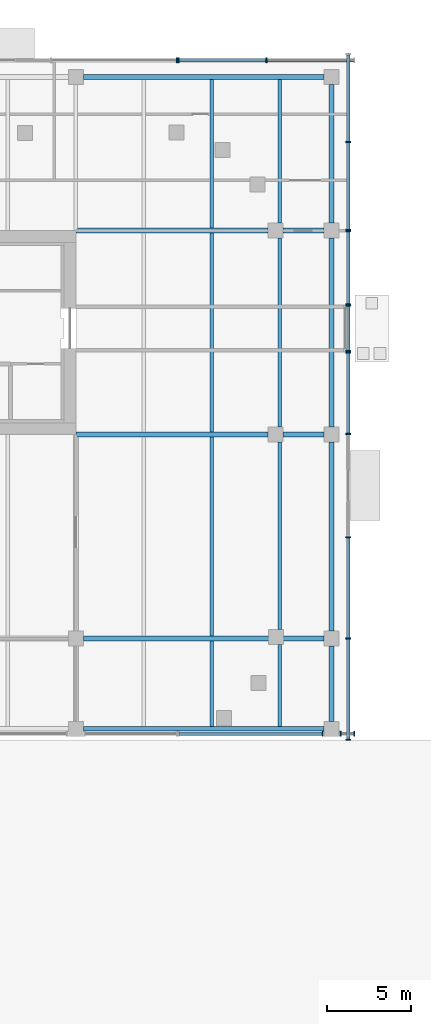
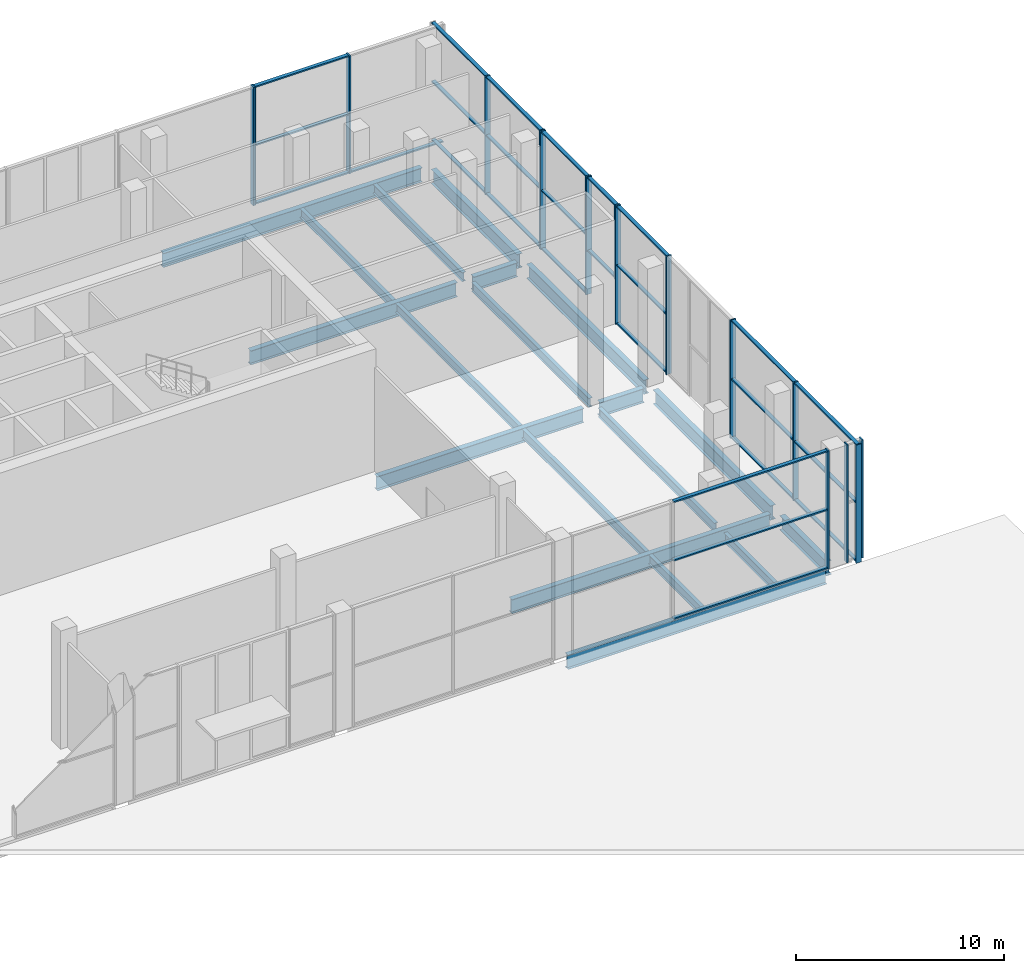
# One storey, part 9 of 36: 44 members, 19 beams, 9 elements without a shape of their own.
"""IFC4 building model written with IfcOpenShell, lengths in metres."""

from ifc_helpers import new_model, si_unit, direction, frame, origin, origin_2d, place, context, subcontext, project, spatial, rectangle, i_section, extrude, material, material_profile, profile_set, type_object, element, aggregate, save


model = new_model("IFC4")

# Units and contexts
model_context = context("Model", 3, precision=1e-05, world=origin(), true_north=direction((0.0, 1.0)))
body_context = subcontext(model_context, "Body", "Model", "MODEL_VIEW")
ifc_project = project(units=[si_unit("LENGTHUNIT", "METRE"), si_unit("AREAUNIT", "SQUARE_METRE"), si_unit("VOLUMEUNIT", "CUBIC_METRE"), si_unit("PLANEANGLEUNIT", "RADIAN"), si_unit("MASSUNIT", "GRAM", prefix="KILO")], contexts=[model_context])

# Site, building, storey
site_placement = place(None, origin())
site = spatial("IfcSite", under=ifc_project, at=site_placement, CompositionType="ELEMENT")
building_placement = place(site_placement, origin())
building = spatial("IfcBuilding", under=site, at=building_placement, Name="Tessera Gate Towers", CompositionType="ELEMENT")
storey_placement = place(building_placement, origin())
storey = spatial("IfcBuildingStorey", under=building, at=storey_placement, Name="L00", CompositionType="ELEMENT", Elevation=0.0)

# Beams
ifc_material_1 = material(Name="Steel 350W", Category="steel")
ifc_material_profile_1 = material_profile(ifc_material_1, i_section(OverallWidth=0.2919921875, OverallDepth=0.8349609375, WebThickness=0.013916015625, FlangeThickness=0.018798828125, at=origin_2d()), Name="W840x176")
ifc_profile_set_1 = profile_set([ifc_material_profile_1], Name="Steel 350W")
beam_type_1 = type_object("IfcBeamType", Name="FLOOR GIRDER W840x176", PredefinedType="BEAM", material=ifc_profile_set_1)
for number, where, z_axis, x_axis, name in (
    (1, (122.449951171875, 19.0, -0.66748046875), (1.0, 0.0, 0.0), (0.0, 1.0, 0.0), "PD-GD-L00-7"),
    (2, (122.449951171875, 24.39990234375, -0.66748046875), (1.0, 0.0, 0.0), (0.0, 1.0, 0.0), "PD-GD-L00-22"),
):
    element("IfcBeam", number, at=place(storey_placement, frame(where, z_axis=z_axis, x_axis=x_axis)), inside=storey, type_object=beam_type_1, Name=name, PredefinedType="BEAM", context=body_context, shape_type="SweptSolid", body=[
        extrude(i_section(OverallWidth=0.2919921875, OverallDepth=0.8349609375, WebThickness=0.013916015625, FlangeThickness=0.018798828125, at=origin_2d()), origin(), (0.0, 0.0, 1.0), 14.400146484375),
    ])
beam_1_placement = place(storey_placement, frame((122.0009765625, 36.60009765625, -0.66748046875), z_axis=(1.0, 0.0, 0.0), x_axis=(0.0, 1.0, 0.0)))
element("IfcBeam", 3, at=beam_1_placement, inside=storey, type_object=beam_type_1, Name="PD-GD-L00-30", PredefinedType="BEAM", context=body_context, shape_type="SweptSolid", body=[
    extrude(i_section(OverallWidth=0.2919921875, OverallDepth=0.8349609375, WebThickness=0.013916015625, FlangeThickness=0.018798828125, at=origin_2d()), origin(), (0.0, 0.0, 1.0), 11.4990234375),
])
beam_2_placement = place(storey_placement, frame((134.39990234375, 36.60009765625, -0.66748046875), z_axis=(1.0, 0.0, 0.0), x_axis=(0.0, 1.0, 0.0)))
element("IfcBeam", 4, at=beam_2_placement, inside=storey, type_object=beam_type_1, Name="PD-GD-L00-31", PredefinedType="BEAM", context=body_context, shape_type="SweptSolid", body=[
    extrude(i_section(OverallWidth=0.2919921875, OverallDepth=0.8349609375, WebThickness=0.013916015625, FlangeThickness=0.018798828125, at=origin_2d()), origin(), (0.0, 0.0, 1.0), 2.4501953125),
])
beam_3_placement = place(storey_placement, frame((122.0009765625, 48.800048828125, -0.66748046875), z_axis=(1.0, 0.0, 0.0), x_axis=(0.0, 1.0, 0.0)))
element("IfcBeam", 5, at=beam_3_placement, inside=storey, type_object=beam_type_1, Name="PD-GD-L00-38", PredefinedType="BEAM", context=body_context, shape_type="SweptSolid", body=[
    extrude(i_section(OverallWidth=0.2919921875, OverallDepth=0.8349609375, WebThickness=0.013916015625, FlangeThickness=0.018798828125, at=origin_2d()), origin(), (0.0, 0.0, 1.0), 11.4990234375),
])
beam_4_placement = place(storey_placement, frame((134.39990234375, 48.800048828125, -0.66748046875), z_axis=(1.0, 0.0, 0.0), x_axis=(0.0, 1.0, 0.0)))
element("IfcBeam", 6, at=beam_4_placement, inside=storey, type_object=beam_type_1, Name="PD-GD-L00-39", PredefinedType="BEAM", context=body_context, shape_type="SweptSolid", body=[
    extrude(i_section(OverallWidth=0.2919921875, OverallDepth=0.8349609375, WebThickness=0.013916015625, FlangeThickness=0.018798828125, at=origin_2d()), origin(), (0.0, 0.0, 1.0), 2.4501953125),
])
beam_5_placement = place(storey_placement, frame((122.449951171875, 58.0, -0.66748046875), z_axis=(1.0, 0.0, 0.0), x_axis=(0.0, 1.0, 0.0)))
element("IfcBeam", 7, at=beam_5_placement, inside=storey, type_object=beam_type_1, Name="PD-GD-L00-48", PredefinedType="BEAM", context=body_context, shape_type="SweptSolid", body=[
    extrude(i_section(OverallWidth=0.2919921875, OverallDepth=0.8349609375, WebThickness=0.013916015625, FlangeThickness=0.018798828125, at=origin_2d()), origin(), (0.0, 0.0, 1.0), 14.400146484375),
])
beam_6_placement = place(storey_placement, frame((137.300048828125, 19.449951171875, -0.66748046875), z_axis=(0.0, 1.0, 0.0), x_axis=(-1.0, 0.0, 0.0)))
element("IfcBeam", 8, at=beam_6_placement, inside=storey, type_object=beam_type_1, Name="PD-GD-L00-71", PredefinedType="BEAM", context=body_context, shape_type="SweptSolid", body=[
    extrude(i_section(OverallWidth=0.2919921875, OverallDepth=0.8349609375, WebThickness=0.013916015625, FlangeThickness=0.018798828125, at=origin_2d()), origin(), (0.0, 0.0, 1.0), 4.5),
])
beam_7_placement = place(storey_placement, frame((137.300048828125, 24.85009765625, -0.66748046875), z_axis=(0.0, 1.0, 0.0), x_axis=(-1.0, 0.0, 0.0)))
element("IfcBeam", 9, at=beam_7_placement, inside=storey, type_object=beam_type_1, Name="PD-GD-L00-72", PredefinedType="BEAM", context=body_context, shape_type="SweptSolid", body=[
    extrude(i_section(OverallWidth=0.2919921875, OverallDepth=0.8349609375, WebThickness=0.013916015625, FlangeThickness=0.018798828125, at=origin_2d()), origin(), (0.0, 0.0, 1.0), 11.2998046875),
])
beam_8_placement = place(storey_placement, frame((137.300048828125, 37.050048828125, -0.66748046875), z_axis=(0.0, 1.0, 0.0), x_axis=(-1.0, 0.0, 0.0)))
element("IfcBeam", 10, at=beam_8_placement, inside=storey, type_object=beam_type_1, Name="PD-GD-L00-73", PredefinedType="BEAM", context=body_context, shape_type="SweptSolid", body=[
    extrude(i_section(OverallWidth=0.2919921875, OverallDepth=0.8349609375, WebThickness=0.013916015625, FlangeThickness=0.018798828125, at=origin_2d()), origin(), (0.0, 0.0, 1.0), 11.300048828125),
])
beam_9_placement = place(storey_placement, frame((137.300048828125, 49.25, -0.66748046875), z_axis=(0.0, 1.0, 0.0), x_axis=(-1.0, 0.0, 0.0)))
element("IfcBeam", 11, at=beam_9_placement, inside=storey, type_object=beam_type_1, Name="PD-GD-L00-74", PredefinedType="BEAM", context=body_context, shape_type="SweptSolid", body=[
    extrude(i_section(OverallWidth=0.2919921875, OverallDepth=0.8349609375, WebThickness=0.013916015625, FlangeThickness=0.018798828125, at=origin_2d()), origin(), (0.0, 0.0, 1.0), 8.300048828125),
])
ifc_material_2 = material(Name="Steel 350W", Category="steel")
ifc_material_profile_2 = material_profile(ifc_material_2, i_section(OverallWidth=0.208984375, OverallDepth=0.528076171875, WebThickness=0.009521484375, FlangeThickness=0.01318359375, at=origin_2d()), Name="W530x82")
ifc_profile_set_2 = profile_set([ifc_material_profile_2], Name="Steel 350W")
beam_type_2 = type_object("IfcBeamType", Name="FLOOR SECONDARY W530x82", PredefinedType="BEAM", material=ifc_profile_set_2)
beam_10_placement = place(storey_placement, frame((130.13330078125, 19.14599609375, -0.513916015625), z_axis=(0.0, 1.0, 0.0), x_axis=(-1.0, 0.0, 0.0)))
element("IfcBeam", 12, at=beam_10_placement, inside=storey, type_object=beam_type_2, Name="PD-BM-L00-180", PredefinedType="BEAM", context=body_context, shape_type="SweptSolid", body=[
    extrude(i_section(OverallWidth=0.208984375, OverallDepth=0.528076171875, WebThickness=0.009521484375, FlangeThickness=0.01318359375, at=origin_2d()), origin(), (0.0, 0.0, 1.0), 5.10791015625),
])
beam_11_placement = place(storey_placement, frame((130.13330078125, 24.5458984375, -0.513916015625), z_axis=(0.0, 1.0, 0.0), x_axis=(-1.0, 0.0, 0.0)))
element("IfcBeam", 13, at=beam_11_placement, inside=storey, type_object=beam_type_2, Name="PD-BM-L00-181", PredefinedType="BEAM", context=body_context, shape_type="SweptSolid", body=[
    extrude(i_section(OverallWidth=0.208984375, OverallDepth=0.528076171875, WebThickness=0.009521484375, FlangeThickness=0.01318359375, at=origin_2d()), origin(), (0.0, 0.0, 1.0), 11.908203125),
])
beam_12_placement = place(storey_placement, frame((130.13330078125, 36.74609375, -0.513916015625), z_axis=(0.0, 1.0, 0.0), x_axis=(-1.0, 0.0, 0.0)))
element("IfcBeam", 14, at=beam_12_placement, inside=storey, type_object=beam_type_2, Name="PD-BM-L00-182", PredefinedType="BEAM", context=body_context, shape_type="SweptSolid", body=[
    extrude(i_section(OverallWidth=0.208984375, OverallDepth=0.528076171875, WebThickness=0.009521484375, FlangeThickness=0.01318359375, at=origin_2d()), origin(), (0.0, 0.0, 1.0), 11.907958984375),
])
beam_13_placement = place(storey_placement, frame((130.13330078125, 48.946044921875, -0.513916015625), z_axis=(0.0, 1.0, 0.0), x_axis=(-1.0, 0.0, 0.0)))
element("IfcBeam", 15, at=beam_13_placement, inside=storey, type_object=beam_type_2, Name="PD-BM-L00-183", PredefinedType="BEAM", context=body_context, shape_type="SweptSolid", body=[
    extrude(i_section(OverallWidth=0.208984375, OverallDepth=0.528076171875, WebThickness=0.009521484375, FlangeThickness=0.01318359375, at=origin_2d()), origin(), (0.0, 0.0, 1.0), 8.907958984375),
])
beam_14_placement = place(storey_placement, frame((134.199951171875, 19.14599609375, -0.513916015625), z_axis=(0.0, 1.0, 0.0), x_axis=(-1.0, 0.0, 0.0)))
element("IfcBeam", 16, at=beam_14_placement, inside=storey, type_object=beam_type_2, Name="PD-BM-L00-184", PredefinedType="BEAM", context=body_context, shape_type="SweptSolid", body=[
    extrude(i_section(OverallWidth=0.208984375, OverallDepth=0.528076171875, WebThickness=0.009521484375, FlangeThickness=0.01318359375, at=origin_2d()), origin(), (0.0, 0.0, 1.0), 4.89404296875),
])
beam_15_placement = place(storey_placement, frame((134.199951171875, 24.93994140625, -0.513916015625), z_axis=(0.0, 1.0, 0.0), x_axis=(-1.0, 0.0, 0.0)))
element("IfcBeam", 17, at=beam_15_placement, inside=storey, type_object=beam_type_2, Name="PD-BM-L00-185", PredefinedType="BEAM", context=body_context, shape_type="SweptSolid", body=[
    extrude(i_section(OverallWidth=0.208984375, OverallDepth=0.528076171875, WebThickness=0.009521484375, FlangeThickness=0.01318359375, at=origin_2d()), origin(), (0.0, 0.0, 1.0), 11.2099609375),
])
beam_16_placement = place(storey_placement, frame((134.199951171875, 37.050048828125, -0.513916015625), z_axis=(0.0, 1.0, 0.0), x_axis=(-1.0, 0.0, 0.0)))
element("IfcBeam", 18, at=beam_16_placement, inside=storey, type_object=beam_type_2, Name="PD-BM-L00-186", PredefinedType="BEAM", context=body_context, shape_type="SweptSolid", body=[
    extrude(i_section(OverallWidth=0.208984375, OverallDepth=0.528076171875, WebThickness=0.009521484375, FlangeThickness=0.01318359375, at=origin_2d()), origin(), (0.0, 0.0, 1.0), 11.300048828125),
])
beam_17_placement = place(storey_placement, frame((134.199951171875, 49.25, -0.513916015625), z_axis=(0.0, 1.0, 0.0), x_axis=(-1.0, 0.0, 0.0)))
element("IfcBeam", 19, at=beam_17_placement, inside=storey, type_object=beam_type_2, Name="PD-BM-L00-187", PredefinedType="BEAM", context=body_context, shape_type="SweptSolid", body=[
    extrude(i_section(OverallWidth=0.208984375, OverallDepth=0.528076171875, WebThickness=0.009521484375, FlangeThickness=0.01318359375, at=origin_2d()), origin(), (0.0, 0.0, 1.0), 8.60400390625),
])

# Curtain wall, member
ifc_material_3 = material(Name="Aluminium frame", Category="aluminium")
curtain_wall_type = type_object("IfcCurtainWallType", Name="CW-S6 ground floor glazing", PredefinedType="NOTDEFINED", material=ifc_material_3)
curtain_wall_1_placement = place(storey_placement, origin())
curtain_wall_1 = element("IfcCurtainWall", 20, at=curtain_wall_1_placement, inside=storey, type_object=curtain_wall_type, Name="Curtain wall ground floor glazing 0169", PredefinedType="NOTDEFINED")
ifc_material_4 = material(Name="Aluminium frame", Category="aluminium")
ifc_material_profile_3 = material_profile(ifc_material_4, rectangle(XDim=0.080078125, YDim=0.300048828125, at=origin_2d()), Name="AL 80x300")
ifc_profile_set_3 = profile_set([ifc_material_profile_3], Name="Aluminium frame")
member_type_1 = type_object("IfcMemberType", Name="MU-S6 mullion 80x300", PredefinedType="MULLION", material=ifc_profile_set_3)
member_1_placement = place(storey_placement, frame((136.77001953125, 18.699951171875, 0.0), z_axis=(0.0, 0.0, 1.0), x_axis=(1.0, 0.0, 0.0)))
member_1 = element("IfcMember", 21, at=member_1_placement, type_object=member_type_1, Name="PD-CW6-0169 mullion 2", PredefinedType="MULLION", context=body_context, shape_type="SweptSolid", body=[
    extrude(rectangle(XDim=0.080078125, YDim=0.300048828125, at=origin_2d()), origin(), (0.0, 0.0, 1.0), 6.949951171875),
])

# Curtain wall, members
curtain_wall_2_placement = place(storey_placement, origin())
curtain_wall_2 = element("IfcCurtainWall", 22, at=curtain_wall_2_placement, inside=storey, type_object=curtain_wall_type, Name="Curtain wall ground floor glazing 0170", PredefinedType="NOTDEFINED")
member_2_placement = place(storey_placement, frame((137.830078125, 18.699951171875, 0.0), z_axis=(0.0, 0.0, 1.0), x_axis=(1.0, 0.0, 0.0)))
member_2 = element("IfcMember", 23, at=member_2_placement, type_object=member_type_1, Name="PD-CW6-0170 mullion 1", PredefinedType="MULLION", context=body_context, shape_type="SweptSolid", body=[
    extrude(rectangle(XDim=0.080078125, YDim=0.300048828125, at=origin_2d()), origin(), (0.0, 0.0, 1.0), 6.949951171875),
])
member_3_placement = place(storey_placement, frame((138.659912109375, 18.699951171875, 0.0), z_axis=(0.0, 0.0, 1.0), x_axis=(1.0, 0.0, 0.0)))
member_3 = element("IfcMember", 24, at=member_3_placement, type_object=member_type_1, Name="PD-CW6-0170 mullion 2", PredefinedType="MULLION", context=body_context, shape_type="SweptSolid", body=[
    extrude(rectangle(XDim=0.080078125, YDim=0.300048828125, at=origin_2d()), origin(), (0.0, 0.0, 1.0), 6.949951171875),
])
aggregate(curtain_wall_2, [member_2, member_3])

curtain_wall_3_placement = place(storey_placement, origin())
curtain_wall_3 = element("IfcCurtainWall", 25, at=curtain_wall_3_placement, inside=storey, type_object=curtain_wall_type, Name="Curtain wall ground floor glazing 0175", PredefinedType="NOTDEFINED")
member_4_placement = place(storey_placement, frame((138.300048828125, 18.340087890625, 0.0), z_axis=(0.0, 0.0, 1.0), x_axis=(0.0, 1.0, 0.0)))
member_4 = element("IfcMember", 26, at=member_4_placement, type_object=member_type_1, Name="PD-CW6-0175 mullion 1", PredefinedType="MULLION", context=body_context, shape_type="SweptSolid", body=[
    extrude(rectangle(XDim=0.080078125, YDim=0.300048828125, at=origin_2d()), origin(), (0.0, 0.0, 1.0), 6.949951171875),
])
member_5_placement = place(storey_placement, frame((138.300048828125, 24.39990234375, 0.0), z_axis=(0.0, 0.0, 1.0), x_axis=(0.0, 1.0, 0.0)))
member_5 = element("IfcMember", 27, at=member_5_placement, type_object=member_type_1, Name="PD-CW6-0175 mullion 2", PredefinedType="MULLION", context=body_context, shape_type="SweptSolid", body=[
    extrude(rectangle(XDim=0.080078125, YDim=0.300048828125, at=origin_2d()), origin(), (0.0, 0.0, 1.0), 6.949951171875),
])
member_6_placement = place(storey_placement, frame((138.300048828125, 30.4599609375, 0.0), z_axis=(0.0, 0.0, 1.0), x_axis=(0.0, 1.0, 0.0)))
member_6 = element("IfcMember", 28, at=member_6_placement, type_object=member_type_1, Name="PD-CW6-0175 mullion 3", PredefinedType="MULLION", context=body_context, shape_type="SweptSolid", body=[
    extrude(rectangle(XDim=0.080078125, YDim=0.300048828125, at=origin_2d()), origin(), (0.0, 0.0, 1.0), 6.949951171875),
])

curtain_wall_4_placement = place(storey_placement, origin())
curtain_wall_4 = element("IfcCurtainWall", 29, at=curtain_wall_4_placement, inside=storey, type_object=curtain_wall_type, Name="Curtain wall ground floor glazing 0176", PredefinedType="NOTDEFINED")
member_7_placement = place(storey_placement, frame((138.300048828125, 36.639892578125, 0.0), z_axis=(0.0, 0.0, 1.0), x_axis=(0.0, 1.0, 0.0)))
member_7 = element("IfcMember", 30, at=member_7_placement, type_object=member_type_1, Name="PD-CW6-0176 mullion 1", PredefinedType="MULLION", context=body_context, shape_type="SweptSolid", body=[
    extrude(rectangle(XDim=0.080078125, YDim=0.300048828125, at=origin_2d()), origin(), (0.0, 0.0, 1.0), 6.949951171875),
])
member_8_placement = place(storey_placement, frame((138.300048828125, 41.510009765625, 0.0), z_axis=(0.0, 0.0, 1.0), x_axis=(0.0, 1.0, 0.0)))
member_8 = element("IfcMember", 31, at=member_8_placement, type_object=member_type_1, Name="PD-CW6-0176 mullion 2", PredefinedType="MULLION", context=body_context, shape_type="SweptSolid", body=[
    extrude(rectangle(XDim=0.080078125, YDim=0.300048828125, at=origin_2d()), origin(), (0.0, 0.0, 1.0), 6.949951171875),
])

curtain_wall_5_placement = place(storey_placement, origin())
curtain_wall_5 = element("IfcCurtainWall", 32, at=curtain_wall_5_placement, inside=storey, type_object=curtain_wall_type, Name="Curtain wall ground floor glazing 0177", PredefinedType="NOTDEFINED")
member_9_placement = place(storey_placement, frame((138.300048828125, 41.590087890625, 2.60009765625), z_axis=(0.0, 0.0, 1.0), x_axis=(0.0, 1.0, 0.0)))
member_9 = element("IfcMember", 33, at=member_9_placement, type_object=member_type_1, Name="PD-CW6-0177 mullion 1", PredefinedType="MULLION", context=body_context, shape_type="SweptSolid", body=[
    extrude(rectangle(XDim=0.080078125, YDim=0.300048828125, at=origin_2d()), origin(), (0.0, 0.0, 1.0), 4.349853515625),
])
member_10_placement = place(storey_placement, frame((138.300048828125, 44.31005859375, 2.60009765625), z_axis=(0.0, 0.0, 1.0), x_axis=(0.0, 1.0, 0.0)))
member_10 = element("IfcMember", 34, at=member_10_placement, type_object=member_type_1, Name="PD-CW6-0177 mullion 2", PredefinedType="MULLION", context=body_context, shape_type="SweptSolid", body=[
    extrude(rectangle(XDim=0.080078125, YDim=0.300048828125, at=origin_2d()), origin(), (0.0, 0.0, 1.0), 4.349853515625),
])

curtain_wall_6_placement = place(storey_placement, origin())
curtain_wall_6 = element("IfcCurtainWall", 35, at=curtain_wall_6_placement, inside=storey, type_object=curtain_wall_type, Name="Curtain wall ground floor glazing 0178", PredefinedType="NOTDEFINED")
member_11_placement = place(storey_placement, frame((138.300048828125, 44.389892578125, 0.0), z_axis=(0.0, 0.0, 1.0), x_axis=(0.0, 1.0, 0.0)))
member_11 = element("IfcMember", 36, at=member_11_placement, type_object=member_type_1, Name="PD-CW6-0178 mullion 1", PredefinedType="MULLION", context=body_context, shape_type="SweptSolid", body=[
    extrude(rectangle(XDim=0.080078125, YDim=0.300048828125, at=origin_2d()), origin(), (0.0, 0.0, 1.0), 6.949951171875),
])
member_12_placement = place(storey_placement, frame((138.300048828125, 48.760009765625, 0.0), z_axis=(0.0, 0.0, 1.0), x_axis=(0.0, 1.0, 0.0)))
member_12 = element("IfcMember", 37, at=member_12_placement, type_object=member_type_1, Name="PD-CW6-0178 mullion 2", PredefinedType="MULLION", context=body_context, shape_type="SweptSolid", body=[
    extrude(rectangle(XDim=0.080078125, YDim=0.300048828125, at=origin_2d()), origin(), (0.0, 0.0, 1.0), 6.949951171875),
])

curtain_wall_7_placement = place(storey_placement, origin())
curtain_wall_7 = element("IfcCurtainWall", 38, at=curtain_wall_7_placement, inside=storey, type_object=curtain_wall_type, Name="Curtain wall ground floor glazing 0181", PredefinedType="NOTDEFINED")
member_13_placement = place(storey_placement, frame((138.300048828125, 48.840087890625, 0.0), z_axis=(0.0, 0.0, 1.0), x_axis=(0.0, 1.0, 0.0)))
member_13 = element("IfcMember", 39, at=member_13_placement, type_object=member_type_1, Name="PD-CW6-0181 mullion 1", PredefinedType="MULLION", context=body_context, shape_type="SweptSolid", body=[
    extrude(rectangle(XDim=0.080078125, YDim=0.300048828125, at=origin_2d()), origin(), (0.0, 0.0, 1.0), 6.949951171875),
])
member_14_placement = place(storey_placement, frame((138.300048828125, 54.10009765625, 0.0), z_axis=(0.0, 0.0, 1.0), x_axis=(0.0, 1.0, 0.0)))
member_14 = element("IfcMember", 40, at=member_14_placement, type_object=member_type_1, Name="PD-CW6-0181 mullion 2", PredefinedType="MULLION", context=body_context, shape_type="SweptSolid", body=[
    extrude(rectangle(XDim=0.080078125, YDim=0.300048828125, at=origin_2d()), origin(), (0.0, 0.0, 1.0), 6.949951171875),
])

curtain_wall_8_placement = place(storey_placement, origin())
curtain_wall_8 = element("IfcCurtainWall", 41, at=curtain_wall_8_placement, inside=storey, type_object=curtain_wall_type, Name="Curtain wall ground floor glazing 0184", PredefinedType="NOTDEFINED")
member_15_placement = place(storey_placement, frame((133.39990234375, 59.0, 0.0), z_axis=(0.0, 0.0, 1.0), x_axis=(-1.0, 0.0, 0.0)))
member_15 = element("IfcMember", 42, at=member_15_placement, type_object=member_type_1, Name="PD-CW6-0184 mullion 2", PredefinedType="MULLION", context=body_context, shape_type="SweptSolid", body=[
    extrude(rectangle(XDim=0.080078125, YDim=0.300048828125, at=origin_2d()), origin(), (0.0, 0.0, 1.0), 6.949951171875),
])
member_16_placement = place(storey_placement, frame((128.139892578125, 59.0, 0.0), z_axis=(0.0, 0.0, 1.0), x_axis=(-1.0, 0.0, 0.0)))
member_16 = element("IfcMember", 43, at=member_16_placement, type_object=member_type_1, Name="PD-CW6-0184 mullion 3", PredefinedType="MULLION", context=body_context, shape_type="SweptSolid", body=[
    extrude(rectangle(XDim=0.080078125, YDim=0.300048828125, at=origin_2d()), origin(), (0.0, 0.0, 1.0), 6.949951171875),
])

# Curtain wall, member
curtain_wall_9_placement = place(storey_placement, origin())
curtain_wall_9 = element("IfcCurtainWall", 44, at=curtain_wall_9_placement, inside=storey, type_object=curtain_wall_type, Name="Curtain wall ground floor glazing 0187", PredefinedType="NOTDEFINED")
member_17_placement = place(storey_placement, frame((128.06005859375, 59.0, 0.0), z_axis=(0.0, 0.0, 1.0), x_axis=(-1.0, 0.0, 0.0)))
member_17 = element("IfcMember", 45, at=member_17_placement, type_object=member_type_1, Name="PD-CW6-0187 mullion 1", PredefinedType="MULLION", context=body_context, shape_type="SweptSolid", body=[
    extrude(rectangle(XDim=0.080078125, YDim=0.300048828125, at=origin_2d()), origin(), (0.0, 0.0, 1.0), 6.949951171875),
])
aggregate(curtain_wall_9, [member_17])

# Member
ifc_material_5 = material(Name="Aluminium frame", Category="aluminium")
ifc_material_profile_4 = material_profile(ifc_material_5, rectangle(XDim=0.199951171875, YDim=0.080078125, at=origin_2d()), Name="AL 80x200")
ifc_profile_set_4 = profile_set([ifc_material_profile_4], Name="Aluminium frame")
member_type_2 = type_object("IfcMemberType", Name="TR-S6 transom 80x200", PredefinedType="USERDEFINED", material=ifc_profile_set_4)
member_18_placement = place(storey_placement, frame((128.179931640625, 18.699951171875, 0.0400390625), z_axis=(1.0, 0.0, 0.0), x_axis=(0.0, 1.0, 0.0)))
member_18 = element("IfcMember", 46, at=member_18_placement, type_object=member_type_2, Name="PD-CW6-0169 transom 1.1", ObjectType="TRANSOM", PredefinedType="USERDEFINED", context=body_context, shape_type="SweptSolid", body=[
    extrude(rectangle(XDim=0.199951171875, YDim=0.080078125, at=origin_2d()), origin(), (0.0, 0.0, 1.0), 8.550048828125),
])

member_19_placement = place(storey_placement, frame((128.179931640625, 18.699951171875, 3.47509765625), z_axis=(1.0, 0.0, 0.0), x_axis=(0.0, 1.0, 0.0)))
member_19 = element("IfcMember", 47, at=member_19_placement, type_object=member_type_2, Name="PD-CW6-0169 transom 1.2", ObjectType="TRANSOM", PredefinedType="USERDEFINED", context=body_context, shape_type="SweptSolid", body=[
    extrude(rectangle(XDim=0.199951171875, YDim=0.080078125, at=origin_2d()), origin(), (0.0, 0.0, 1.0), 8.550048828125),
])

member_20_placement = place(storey_placement, frame((128.179931640625, 18.699951171875, 6.909912109375), z_axis=(1.0, 0.0, 0.0), x_axis=(0.0, 1.0, 0.0)))
member_20 = element("IfcMember", 48, at=member_20_placement, type_object=member_type_2, Name="PD-CW6-0169 transom 1.3", ObjectType="TRANSOM", PredefinedType="USERDEFINED", context=body_context, shape_type="SweptSolid", body=[
    extrude(rectangle(XDim=0.199951171875, YDim=0.080078125, at=origin_2d()), origin(), (0.0, 0.0, 1.0), 8.550048828125),
])

aggregate(curtain_wall_1, [member_1, member_18, member_19, member_20])

member_21_placement = place(storey_placement, frame((138.300048828125, 18.3798828125, 0.0400390625), z_axis=(0.0, 1.0, 0.0), x_axis=(-1.0, 0.0, 0.0)))
member_21 = element("IfcMember", 49, at=member_21_placement, type_object=member_type_2, Name="PD-CW6-0175 transom 1.1", ObjectType="TRANSOM", PredefinedType="USERDEFINED", context=body_context, shape_type="SweptSolid", body=[
    extrude(rectangle(XDim=0.199951171875, YDim=0.080078125, at=origin_2d()), origin(), (0.0, 0.0, 1.0), 5.980224609375),
])

member_22_placement = place(storey_placement, frame((138.300048828125, 18.3798828125, 3.47509765625), z_axis=(0.0, 1.0, 0.0), x_axis=(-1.0, 0.0, 0.0)))
member_22 = element("IfcMember", 50, at=member_22_placement, type_object=member_type_2, Name="PD-CW6-0175 transom 1.2", ObjectType="TRANSOM", PredefinedType="USERDEFINED", context=body_context, shape_type="SweptSolid", body=[
    extrude(rectangle(XDim=0.199951171875, YDim=0.080078125, at=origin_2d()), origin(), (0.0, 0.0, 1.0), 5.980224609375),
])

member_23_placement = place(storey_placement, frame((138.300048828125, 18.3798828125, 6.909912109375), z_axis=(0.0, 1.0, 0.0), x_axis=(-1.0, 0.0, 0.0)))
member_23 = element("IfcMember", 51, at=member_23_placement, type_object=member_type_2, Name="PD-CW6-0175 transom 1.3", ObjectType="TRANSOM", PredefinedType="USERDEFINED", context=body_context, shape_type="SweptSolid", body=[
    extrude(rectangle(XDim=0.199951171875, YDim=0.080078125, at=origin_2d()), origin(), (0.0, 0.0, 1.0), 5.980224609375),
])

member_24_placement = place(storey_placement, frame((138.300048828125, 24.43994140625, 0.0400390625), z_axis=(0.0, 1.0, 0.0), x_axis=(-1.0, 0.0, 0.0)))
member_24 = element("IfcMember", 52, at=member_24_placement, type_object=member_type_2, Name="PD-CW6-0175 transom 2.1", ObjectType="TRANSOM", PredefinedType="USERDEFINED", context=body_context, shape_type="SweptSolid", body=[
    extrude(rectangle(XDim=0.199951171875, YDim=0.080078125, at=origin_2d()), origin(), (0.0, 0.0, 1.0), 5.97998046875),
])

member_25_placement = place(storey_placement, frame((138.300048828125, 24.43994140625, 3.47509765625), z_axis=(0.0, 1.0, 0.0), x_axis=(-1.0, 0.0, 0.0)))
member_25 = element("IfcMember", 53, at=member_25_placement, type_object=member_type_2, Name="PD-CW6-0175 transom 2.2", ObjectType="TRANSOM", PredefinedType="USERDEFINED", context=body_context, shape_type="SweptSolid", body=[
    extrude(rectangle(XDim=0.199951171875, YDim=0.080078125, at=origin_2d()), origin(), (0.0, 0.0, 1.0), 5.97998046875),
])

member_26_placement = place(storey_placement, frame((138.300048828125, 24.43994140625, 6.909912109375), z_axis=(0.0, 1.0, 0.0), x_axis=(-1.0, 0.0, 0.0)))
member_26 = element("IfcMember", 54, at=member_26_placement, type_object=member_type_2, Name="PD-CW6-0175 transom 2.3", ObjectType="TRANSOM", PredefinedType="USERDEFINED", context=body_context, shape_type="SweptSolid", body=[
    extrude(rectangle(XDim=0.199951171875, YDim=0.080078125, at=origin_2d()), origin(), (0.0, 0.0, 1.0), 5.97998046875),
])

aggregate(curtain_wall_3, [member_4, member_5, member_6, member_21, member_22, member_23, member_24, member_25, member_26])

member_27_placement = place(storey_placement, frame((138.300048828125, 36.679931640625, 0.0400390625), z_axis=(0.0, 1.0, 0.0), x_axis=(-1.0, 0.0, 0.0)))
member_27 = element("IfcMember", 55, at=member_27_placement, type_object=member_type_2, Name="PD-CW6-0176 transom 1.1", ObjectType="TRANSOM", PredefinedType="USERDEFINED", context=body_context, shape_type="SweptSolid", body=[
    extrude(rectangle(XDim=0.199951171875, YDim=0.080078125, at=origin_2d()), origin(), (0.0, 0.0, 1.0), 4.7900390625),
])

member_28_placement = place(storey_placement, frame((138.300048828125, 36.679931640625, 3.47509765625), z_axis=(0.0, 1.0, 0.0), x_axis=(-1.0, 0.0, 0.0)))
member_28 = element("IfcMember", 56, at=member_28_placement, type_object=member_type_2, Name="PD-CW6-0176 transom 1.2", ObjectType="TRANSOM", PredefinedType="USERDEFINED", context=body_context, shape_type="SweptSolid", body=[
    extrude(rectangle(XDim=0.199951171875, YDim=0.080078125, at=origin_2d()), origin(), (0.0, 0.0, 1.0), 4.7900390625),
])

member_29_placement = place(storey_placement, frame((138.300048828125, 36.679931640625, 6.909912109375), z_axis=(0.0, 1.0, 0.0), x_axis=(-1.0, 0.0, 0.0)))
member_29 = element("IfcMember", 57, at=member_29_placement, type_object=member_type_2, Name="PD-CW6-0176 transom 1.3", ObjectType="TRANSOM", PredefinedType="USERDEFINED", context=body_context, shape_type="SweptSolid", body=[
    extrude(rectangle(XDim=0.199951171875, YDim=0.080078125, at=origin_2d()), origin(), (0.0, 0.0, 1.0), 4.7900390625),
])

aggregate(curtain_wall_4, [member_7, member_8, member_27, member_28, member_29])

member_30_placement = place(storey_placement, frame((138.300048828125, 41.6298828125, 2.639892578125), z_axis=(0.0, 1.0, 0.0), x_axis=(-1.0, 0.0, 0.0)))
member_30 = element("IfcMember", 58, at=member_30_placement, type_object=member_type_2, Name="PD-CW6-0177 transom 1.1", ObjectType="TRANSOM", PredefinedType="USERDEFINED", context=body_context, shape_type="SweptSolid", body=[
    extrude(rectangle(XDim=0.199951171875, YDim=0.080078125, at=origin_2d()), origin(), (0.0, 0.0, 1.0), 2.64013671875),
])

member_31_placement = place(storey_placement, frame((138.300048828125, 41.6298828125, 6.909912109375), z_axis=(0.0, 1.0, 0.0), x_axis=(-1.0, 0.0, 0.0)))
member_31 = element("IfcMember", 59, at=member_31_placement, type_object=member_type_2, Name="PD-CW6-0177 transom 1.2", ObjectType="TRANSOM", PredefinedType="USERDEFINED", context=body_context, shape_type="SweptSolid", body=[
    extrude(rectangle(XDim=0.199951171875, YDim=0.080078125, at=origin_2d()), origin(), (0.0, 0.0, 1.0), 2.64013671875),
])

aggregate(curtain_wall_5, [member_9, member_10, member_30, member_31])

member_32_placement = place(storey_placement, frame((138.300048828125, 44.429931640625, 0.0400390625), z_axis=(0.0, 1.0, 0.0), x_axis=(-1.0, 0.0, 0.0)))
member_32 = element("IfcMember", 60, at=member_32_placement, type_object=member_type_2, Name="PD-CW6-0178 transom 1.1", ObjectType="TRANSOM", PredefinedType="USERDEFINED", context=body_context, shape_type="SweptSolid", body=[
    extrude(rectangle(XDim=0.199951171875, YDim=0.080078125, at=origin_2d()), origin(), (0.0, 0.0, 1.0), 4.2900390625),
])

member_33_placement = place(storey_placement, frame((138.300048828125, 44.429931640625, 3.47509765625), z_axis=(0.0, 1.0, 0.0), x_axis=(-1.0, 0.0, 0.0)))
member_33 = element("IfcMember", 61, at=member_33_placement, type_object=member_type_2, Name="PD-CW6-0178 transom 1.2", ObjectType="TRANSOM", PredefinedType="USERDEFINED", context=body_context, shape_type="SweptSolid", body=[
    extrude(rectangle(XDim=0.199951171875, YDim=0.080078125, at=origin_2d()), origin(), (0.0, 0.0, 1.0), 4.2900390625),
])

member_34_placement = place(storey_placement, frame((138.300048828125, 44.429931640625, 6.909912109375), z_axis=(0.0, 1.0, 0.0), x_axis=(-1.0, 0.0, 0.0)))
member_34 = element("IfcMember", 62, at=member_34_placement, type_object=member_type_2, Name="PD-CW6-0178 transom 1.3", ObjectType="TRANSOM", PredefinedType="USERDEFINED", context=body_context, shape_type="SweptSolid", body=[
    extrude(rectangle(XDim=0.199951171875, YDim=0.080078125, at=origin_2d()), origin(), (0.0, 0.0, 1.0), 4.2900390625),
])

aggregate(curtain_wall_6, [member_11, member_12, member_32, member_33, member_34])

member_35_placement = place(storey_placement, frame((138.300048828125, 48.8798828125, 0.0400390625), z_axis=(0.0, 1.0, 0.0), x_axis=(-1.0, 0.0, 0.0)))
member_35 = element("IfcMember", 63, at=member_35_placement, type_object=member_type_2, Name="PD-CW6-0181 transom 1.1", ObjectType="TRANSOM", PredefinedType="USERDEFINED", context=body_context, shape_type="SweptSolid", body=[
    extrude(rectangle(XDim=0.199951171875, YDim=0.080078125, at=origin_2d()), origin(), (0.0, 0.0, 1.0), 5.18017578125),
])

member_36_placement = place(storey_placement, frame((138.300048828125, 48.8798828125, 3.47509765625), z_axis=(0.0, 1.0, 0.0), x_axis=(-1.0, 0.0, 0.0)))
member_36 = element("IfcMember", 64, at=member_36_placement, type_object=member_type_2, Name="PD-CW6-0181 transom 1.2", ObjectType="TRANSOM", PredefinedType="USERDEFINED", context=body_context, shape_type="SweptSolid", body=[
    extrude(rectangle(XDim=0.199951171875, YDim=0.080078125, at=origin_2d()), origin(), (0.0, 0.0, 1.0), 5.18017578125),
])

member_37_placement = place(storey_placement, frame((138.300048828125, 48.8798828125, 6.909912109375), z_axis=(0.0, 1.0, 0.0), x_axis=(-1.0, 0.0, 0.0)))
member_37 = element("IfcMember", 65, at=member_37_placement, type_object=member_type_2, Name="PD-CW6-0181 transom 1.3", ObjectType="TRANSOM", PredefinedType="USERDEFINED", context=body_context, shape_type="SweptSolid", body=[
    extrude(rectangle(XDim=0.199951171875, YDim=0.080078125, at=origin_2d()), origin(), (0.0, 0.0, 1.0), 5.18017578125),
])

member_38_placement = place(storey_placement, frame((138.300048828125, 54.139892578125, 0.0400390625), z_axis=(0.0, 1.0, 0.0), x_axis=(-1.0, 0.0, 0.0)))
member_38 = element("IfcMember", 66, at=member_38_placement, type_object=member_type_2, Name="PD-CW6-0181 transom 2.1", ObjectType="TRANSOM", PredefinedType="USERDEFINED", context=body_context, shape_type="SweptSolid", body=[
    extrude(rectangle(XDim=0.199951171875, YDim=0.080078125, at=origin_2d()), origin(), (0.0, 0.0, 1.0), 5.18017578125),
])

member_39_placement = place(storey_placement, frame((138.300048828125, 54.139892578125, 3.47509765625), z_axis=(0.0, 1.0, 0.0), x_axis=(-1.0, 0.0, 0.0)))
member_39 = element("IfcMember", 67, at=member_39_placement, type_object=member_type_2, Name="PD-CW6-0181 transom 2.2", ObjectType="TRANSOM", PredefinedType="USERDEFINED", context=body_context, shape_type="SweptSolid", body=[
    extrude(rectangle(XDim=0.199951171875, YDim=0.080078125, at=origin_2d()), origin(), (0.0, 0.0, 1.0), 5.18017578125),
])

member_40_placement = place(storey_placement, frame((138.300048828125, 54.139892578125, 6.909912109375), z_axis=(0.0, 1.0, 0.0), x_axis=(-1.0, 0.0, 0.0)))
member_40 = element("IfcMember", 68, at=member_40_placement, type_object=member_type_2, Name="PD-CW6-0181 transom 2.3", ObjectType="TRANSOM", PredefinedType="USERDEFINED", context=body_context, shape_type="SweptSolid", body=[
    extrude(rectangle(XDim=0.199951171875, YDim=0.080078125, at=origin_2d()), origin(), (0.0, 0.0, 1.0), 5.18017578125),
])

aggregate(curtain_wall_7, [member_13, member_14, member_35, member_36, member_37, member_38, member_39, member_40])

member_41_placement = place(storey_placement, frame((138.6201171875, 59.0, 0.0400390625), z_axis=(-1.0, 0.0, 0.0), x_axis=(0.0, -1.0, 0.0)))
member_41 = element("IfcMember", 69, at=member_41_placement, type_object=member_type_2, Name="PD-CW6-0184 transom 1.1", ObjectType="TRANSOM", PredefinedType="USERDEFINED", context=body_context, shape_type="SweptSolid", body=[
    extrude(rectangle(XDim=0.199951171875, YDim=0.080078125, at=origin_2d()), origin(), (0.0, 0.0, 1.0), 5.18017578125),
])

member_42_placement = place(storey_placement, frame((133.360107421875, 59.0, 0.0400390625), z_axis=(-1.0, 0.0, 0.0), x_axis=(0.0, -1.0, 0.0)))
member_42 = element("IfcMember", 70, at=member_42_placement, type_object=member_type_2, Name="PD-CW6-0184 transom 2.1", ObjectType="TRANSOM", PredefinedType="USERDEFINED", context=body_context, shape_type="SweptSolid", body=[
    extrude(rectangle(XDim=0.199951171875, YDim=0.080078125, at=origin_2d()), origin(), (0.0, 0.0, 1.0), 5.18017578125),
])

member_43_placement = place(storey_placement, frame((133.360107421875, 59.0, 3.47509765625), z_axis=(-1.0, 0.0, 0.0), x_axis=(0.0, -1.0, 0.0)))
member_43 = element("IfcMember", 71, at=member_43_placement, type_object=member_type_2, Name="PD-CW6-0184 transom 2.2", ObjectType="TRANSOM", PredefinedType="USERDEFINED", context=body_context, shape_type="SweptSolid", body=[
    extrude(rectangle(XDim=0.199951171875, YDim=0.080078125, at=origin_2d()), origin(), (0.0, 0.0, 1.0), 5.18017578125),
])

member_44_placement = place(storey_placement, frame((133.360107421875, 59.0, 6.909912109375), z_axis=(-1.0, 0.0, 0.0), x_axis=(0.0, -1.0, 0.0)))
member_44 = element("IfcMember", 72, at=member_44_placement, type_object=member_type_2, Name="PD-CW6-0184 transom 2.3", ObjectType="TRANSOM", PredefinedType="USERDEFINED", context=body_context, shape_type="SweptSolid", body=[
    extrude(rectangle(XDim=0.199951171875, YDim=0.080078125, at=origin_2d()), origin(), (0.0, 0.0, 1.0), 5.18017578125),
])

aggregate(curtain_wall_8, [member_15, member_16, member_41, member_42, member_43, member_44])

save(model, "model.ifc")
